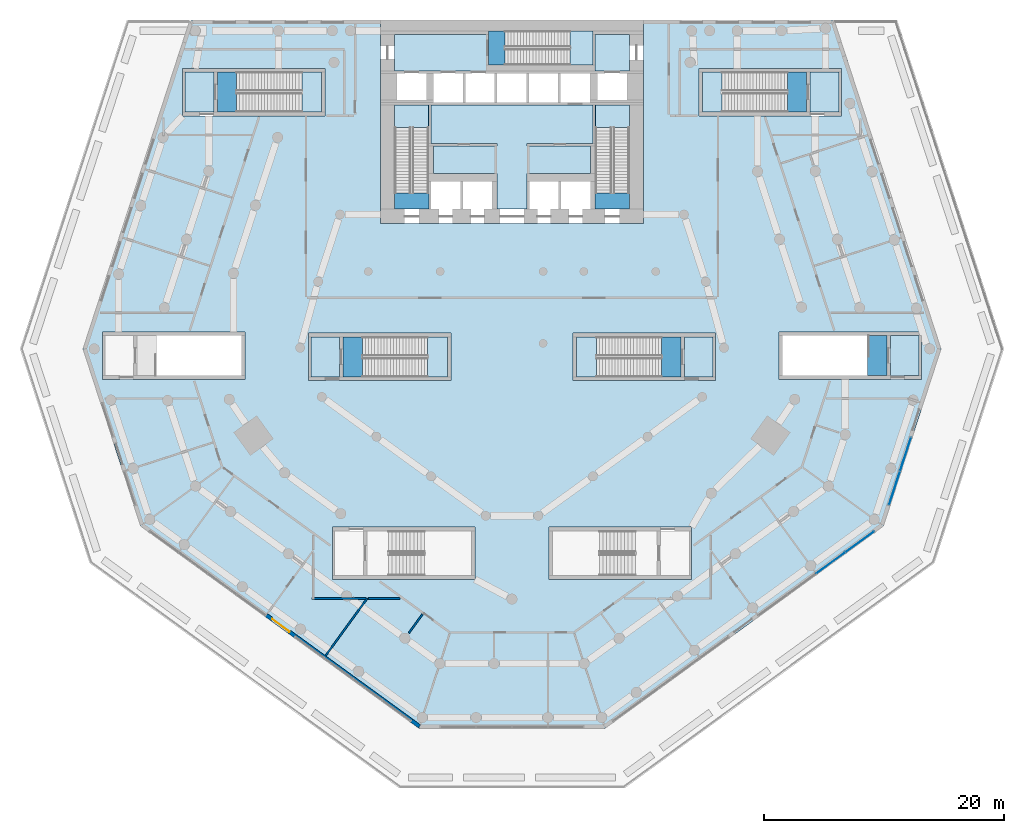
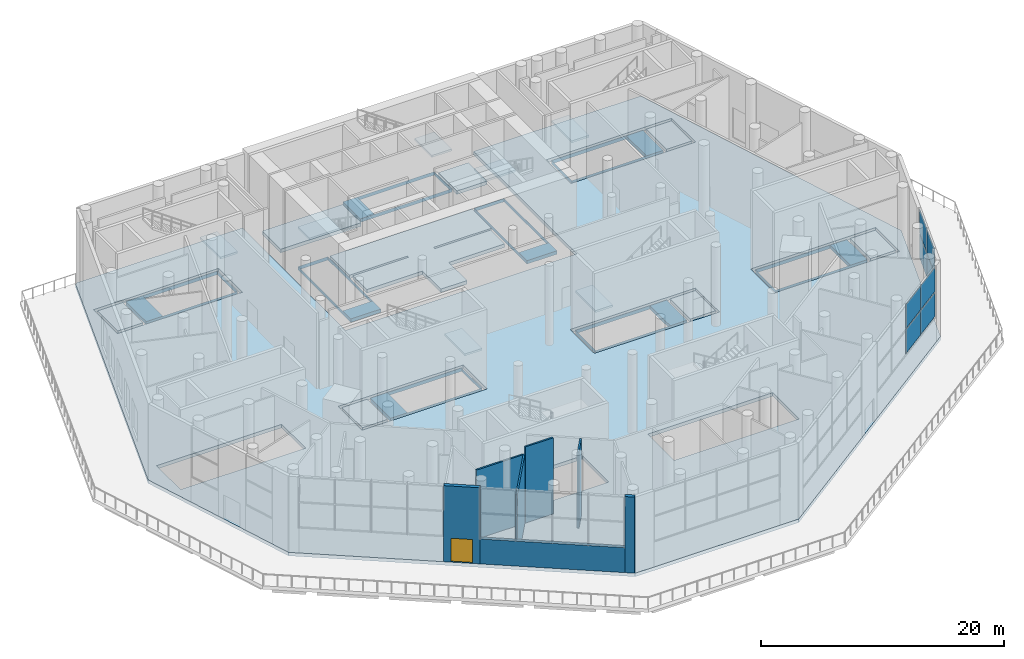
# One storey, part 10 of 23: 24 slabs, 8 plates, 7 walls, 1 door, 1 opening, 9 elements without a shape of their own.
"""IFC4 building model written with IfcOpenShell, lengths in metres."""

from ifc_helpers import new_model, si_unit, direction, frame, frame_2d, origin, origin_2d, place, context, subcontext, project, spatial, polyline, rectangle, outline, extrude, material, layer, layer_set, type_object, element, fill, aggregate, save


model = new_model("IFC4")

# Units and contexts
model_context = context("Model", 3, precision=1e-05, world=origin(), true_north=direction((0.0, 1.0)))
body_context = subcontext(model_context, "Body", "Model", "MODEL_VIEW")
ifc_project = project(units=[si_unit("LENGTHUNIT", "METRE"), si_unit("AREAUNIT", "SQUARE_METRE"), si_unit("VOLUMEUNIT", "CUBIC_METRE"), si_unit("PLANEANGLEUNIT", "RADIAN"), si_unit("MASSUNIT", "GRAM", prefix="KILO")], contexts=[model_context])

# Site, building, storey
site_placement = place(None, origin())
site = spatial("IfcSite", under=ifc_project, at=site_placement, CompositionType="ELEMENT")
building_placement = place(site_placement, origin())
building = spatial("IfcBuilding", under=site, at=building_placement, Name="White Candle Pilgrim Tower", CompositionType="ELEMENT")
storey_placement = place(building_placement, frame((0.0, 0.0, 15.0)))
storey = spatial("IfcBuildingStorey", under=building, at=storey_placement, Name="L02", CompositionType="ELEMENT", Elevation=15.0)

# Curtain wall, plates
ifc_material_1 = material(Name="Aluminium and glass", Category="aluminium")
curtain_wall_type = type_object("IfcCurtainWallType", Name="Curtain wall CW2 prayer hall clerestory", PredefinedType="NOTDEFINED", material=ifc_material_1)
curtain_wall_1_placement = place(storey_placement, origin())
curtain_wall_1 = element("IfcCurtainWall", 1, at=curtain_wall_1_placement, inside=storey, type_object=curtain_wall_type, Name="Curtain wall CW2 L02 SE", PredefinedType="NOTDEFINED")
ifc_material_2 = material(Name="Glass, triple glazed", Category="glass")
ifc_layer_1 = layer(ifc_material_2, 0.035888671875)
ifc_layer_set_1 = layer_set([ifc_layer_1], Name="CW2 glazing panel 36")
plate_type = type_object("IfcPlateType", Name="CW2 glazing panel 36", PredefinedType="CURTAIN_PANEL", material=ifc_layer_set_1)
plate_1_placement = place(storey_placement, frame((96.619384765625, 42.67333984375, 2.60009765625), z_axis=(0.0, 0.0, 1.0), x_axis=(0.809016996519, 0.587785249341, 0.0)))
plate_1 = element("IfcPlate", 2, at=plate_1_placement, type_object=plate_type, Name="CW2 panel 3.1", PredefinedType="CURTAIN_PANEL", context=body_context, shape_type="SweptSolid", body=[
    extrude(rectangle(XDim=2.949951171875, YDim=0.035888671875, at=origin_2d()), origin(), (0.0, 0.0, 1.0), 2.425048828125),
])
plate_2_placement = place(storey_placement, frame((96.619384765625, 42.67333984375, 5.125), z_axis=(0.0, 0.0, 1.0), x_axis=(0.809016996519, 0.587785249341, 0.0)))
plate_2 = element("IfcPlate", 3, at=plate_2_placement, type_object=plate_type, Name="CW2 panel 3.2", PredefinedType="CURTAIN_PANEL", context=body_context, shape_type="SweptSolid", body=[
    extrude(rectangle(XDim=2.949951171875, YDim=0.035888671875, at=origin_2d()), origin(), (0.0, 0.0, 1.0), 2.425048828125),
])
plate_3_placement = place(storey_placement, frame((99.0361328125, 44.429443359375, 2.60009765625), z_axis=(0.0, 0.0, 1.0), x_axis=(0.809016996519, 0.587785249341, 0.0)))
plate_3 = element("IfcPlate", 4, at=plate_3_placement, type_object=plate_type, Name="CW2 panel 4.1", PredefinedType="CURTAIN_PANEL", context=body_context, shape_type="SweptSolid", body=[
    extrude(rectangle(XDim=2.925048828125, YDim=0.035888671875, at=origin_2d()), origin(), (0.0, 0.0, 1.0), 2.425048828125),
])
plate_4_placement = place(storey_placement, frame((99.0361328125, 44.429443359375, 5.125), z_axis=(0.0, 0.0, 1.0), x_axis=(0.809016996519, 0.587785249341, 0.0)))
plate_4 = element("IfcPlate", 5, at=plate_4_placement, type_object=plate_type, Name="CW2 panel 4.2", PredefinedType="CURTAIN_PANEL", context=body_context, shape_type="SweptSolid", body=[
    extrude(rectangle(XDim=2.925048828125, YDim=0.035888671875, at=origin_2d()), origin(), (0.0, 0.0, 1.0), 2.425048828125),
])
aggregate(curtain_wall_1, [plate_1, plate_2, plate_3, plate_4])

curtain_wall_2_placement = place(storey_placement, origin())
curtain_wall_2 = element("IfcCurtainWall", 6, at=curtain_wall_2_placement, inside=storey, type_object=curtain_wall_type, Name="Curtain wall CW2 L02 E chamfer", PredefinedType="NOTDEFINED")
plate_5_placement = place(storey_placement, frame((101.937255859375, 48.904541015625, 2.60009765625), z_axis=(0.0, 0.0, 1.0), x_axis=(0.309016999985, 0.951056514472, 0.0)))
plate_5 = element("IfcPlate", 7, at=plate_5_placement, type_object=plate_type, Name="CW2 panel 1.1", PredefinedType="CURTAIN_PANEL", context=body_context, shape_type="SweptSolid", body=[
    extrude(rectangle(XDim=2.925048828125, YDim=0.035888671875, at=origin_2d()), origin(), (0.0, 0.0, 1.0), 2.425048828125),
])
plate_6_placement = place(storey_placement, frame((101.937255859375, 48.904541015625, 5.125), z_axis=(0.0, 0.0, 1.0), x_axis=(0.309016999985, 0.951056514472, 0.0)))
plate_6 = element("IfcPlate", 8, at=plate_6_placement, type_object=plate_type, Name="CW2 panel 1.2", PredefinedType="CURTAIN_PANEL", context=body_context, shape_type="SweptSolid", body=[
    extrude(rectangle(XDim=2.925048828125, YDim=0.035888671875, at=origin_2d()), origin(), (0.0, 0.0, 1.0), 2.425048828125),
])
plate_7_placement = place(storey_placement, frame((102.856689453125, 51.73388671875, 2.60009765625), z_axis=(0.0, 0.0, 1.0), x_axis=(0.309016999985, 0.951056514472, 0.0)))
plate_7 = element("IfcPlate", 9, at=plate_7_placement, type_object=plate_type, Name="CW2 panel 2.1", PredefinedType="CURTAIN_PANEL", context=body_context, shape_type="SweptSolid", body=[
    extrude(rectangle(XDim=2.925048828125, YDim=0.035888671875, at=origin_2d()), origin(), (0.0, 0.0, 1.0), 2.425048828125),
])
plate_8_placement = place(storey_placement, frame((102.856689453125, 51.73388671875, 5.125), z_axis=(0.0, 0.0, 1.0), x_axis=(0.309016999985, 0.951056514472, 0.0)))
plate_8 = element("IfcPlate", 10, at=plate_8_placement, type_object=plate_type, Name="CW2 panel 2.2", PredefinedType="CURTAIN_PANEL", context=body_context, shape_type="SweptSolid", body=[
    extrude(rectangle(XDim=2.925048828125, YDim=0.035888671875, at=origin_2d()), origin(), (0.0, 0.0, 1.0), 2.425048828125),
])
aggregate(curtain_wall_2, [plate_5, plate_6, plate_7, plate_8])

# Slabs
ifc_material_3 = material(Name="Concrete C40/50", Category="concrete")
ifc_layer_2 = layer(ifc_material_3, 0.35009765625)
ifc_layer_set_2 = layer_set([ifc_layer_2], Name="Core floor slab 350 mm Concrete C40/50")
slab_type_1 = type_object("IfcSlabType", Name="Core floor slab 350 mm Concrete C40/50", PredefinedType="FLOOR", material=ifc_layer_set_2)
slab_1_placement = place(storey_placement, frame((0.0, 0.0, -0.35009765625)))
element("IfcSlab", 11, at=slab_1_placement, inside=storey, type_object=slab_type_1, Name="CF-L02-03", PredefinedType="FLOOR", context=body_context, shape_type="SweptSolid", body=[
    extrude(outline(polyline([(53.199951171875, 61.550048828125), (55.60009765625, 61.550048828125), (55.60009765625, 58.199951171875), (53.199951171875, 58.199951171875), (53.199951171875, 61.550048828125)])), origin(), (0.0, 0.0, 1.0), 0.35009765625),
])
slab_2_placement = place(storey_placement, frame((0.0, 0.0, -0.35009765625)))
element("IfcSlab", 12, at=slab_2_placement, inside=storey, type_object=slab_type_1, Name="CF-L02-04", PredefinedType="FLOOR", context=body_context, shape_type="SweptSolid", body=[
    extrude(outline(polyline([(55.89990234375, 61.550048828125), (64.60009765625, 61.550048828125), (64.60009765625, 58.199951171875), (55.89990234375, 58.199951171875), (55.89990234375, 61.550048828125)]), holes=[polyline([(64.597900390625, 61.548095703125), (57.501953125, 61.548095703125), (57.501953125, 58.201904296875), (64.597900390625, 58.201904296875), (64.597900390625, 61.548095703125)])]), origin(), (0.0, 0.0, 1.0), 0.35009765625),
])
slab_3_placement = place(storey_placement, frame((0.0, 0.0, -0.35009765625)))
element("IfcSlab", 13, at=slab_3_placement, inside=storey, type_object=slab_type_1, Name="CF-L02-07", PredefinedType="FLOOR", context=body_context, shape_type="SweptSolid", body=[
    extrude(outline(polyline([(60.199951171875, 80.89990234375), (63.050048828125, 80.89990234375), (63.050048828125, 77.699951171875), (63.050048828125, 77.5), (63.050048828125, 75.199951171875), (63.050048828125, 74.5), (63.050048828125, 72.199951171875), (60.199951171875, 72.199951171875), (60.199951171875, 80.89990234375)]), holes=[polyline([(60.201904296875, 80.89794921875), (60.201904296875, 73.552001953125), (63.048095703125, 73.552001953125), (63.048095703125, 80.89794921875), (60.201904296875, 80.89794921875)])]), origin(), (0.0, 0.0, 1.0), 0.35009765625),
])
slab_4_placement = place(storey_placement, frame((0.0, 0.0, -0.35009765625)))
element("IfcSlab", 14, at=slab_4_placement, inside=storey, type_object=slab_type_1, Name="CF-L02-08", PredefinedType="FLOOR", context=body_context, shape_type="SweptSolid", body=[
    extrude(outline(polyline([(60.199951171875, 86.800048828125), (67.85009765625, 86.800048828125), (67.85009765625, 84.25), (67.85009765625, 83.75), (60.199951171875, 83.75), (60.199951171875, 86.800048828125)])), origin(), (0.0, 0.0, 1.0), 0.35009765625),
])
slab_5_placement = place(storey_placement, frame((0.0, 0.0, -0.35009765625)))
element("IfcSlab", 15, at=slab_5_placement, inside=storey, type_object=slab_type_1, Name="CF-L02-09", PredefinedType="FLOOR", context=body_context, shape_type="SweptSolid", body=[
    extrude(outline(polyline([(68.050048828125, 87.10009765625), (76.75, 87.10009765625), (76.75, 86.800048828125), (76.75, 84.25), (68.050048828125, 84.25), (68.050048828125, 86.800048828125), (68.050048828125, 87.10009765625)]), holes=[polyline([(76.748046875, 87.097900390625), (69.402099609375, 87.097900390625), (69.402099609375, 84.251953125), (76.748046875, 84.251953125), (76.748046875, 87.097900390625)])]), origin(), (0.0, 0.0, 1.0), 0.35009765625),
])
slab_6_placement = place(storey_placement, frame((0.0, 0.0, -0.35009765625)))
element("IfcSlab", 16, at=slab_6_placement, inside=storey, type_object=slab_type_1, Name="CF-L02-10", PredefinedType="FLOOR", context=body_context, shape_type="SweptSolid", body=[
    extrude(outline(polyline([(79.800048828125, 86.800048828125), (79.800048828125, 83.75), (76.949951171875, 83.75), (76.949951171875, 84.25), (76.949951171875, 86.800048828125), (79.800048828125, 86.800048828125)])), origin(), (0.0, 0.0, 1.0), 0.35009765625),
])
slab_7_placement = place(storey_placement, frame((0.0, 0.0, -0.35009765625)))
element("IfcSlab", 17, at=slab_7_placement, inside=storey, type_object=slab_type_1, Name="CF-L02-11", PredefinedType="FLOOR", context=body_context, shape_type="SweptSolid", body=[
    extrude(outline(polyline([(79.800048828125, 72.199951171875), (76.949951171875, 72.199951171875), (76.949951171875, 74.5), (76.949951171875, 75.199951171875), (76.949951171875, 77.5), (76.949951171875, 77.699951171875), (76.949951171875, 80.89990234375), (79.800048828125, 80.89990234375), (79.800048828125, 72.199951171875)]), holes=[polyline([(76.951904296875, 73.552001953125), (79.798095703125, 73.552001953125), (79.798095703125, 80.89794921875), (76.951904296875, 80.89794921875), (76.951904296875, 73.552001953125)])]), origin(), (0.0, 0.0, 1.0), 0.35009765625),
])
slab_8_placement = place(storey_placement, frame((0.0, 0.0, -0.35009765625)))
element("IfcSlab", 18, at=slab_8_placement, inside=storey, type_object=slab_type_1, Name="CF-L02-12", PredefinedType="FLOOR", context=body_context, shape_type="SweptSolid", body=[
    extrude(outline(polyline([(68.75, 72.199951171875), (68.75, 74.5), (68.75, 75.199951171875), (63.449951171875, 75.199951171875), (63.449951171875, 77.5), (68.75, 77.5), (68.75, 77.699951171875), (63.25, 77.699951171875), (63.25, 80.89990234375), (76.75, 80.89990234375), (76.75, 77.699951171875), (71.25, 77.699951171875), (71.25, 77.5), (76.550048828125, 77.5), (76.550048828125, 75.199951171875), (71.25, 75.199951171875), (71.25, 74.5), (71.25, 72.199951171875), (68.75, 72.199951171875)])), origin(), (0.0, 0.0, 1.0), 0.35009765625),
])
slab_9_placement = place(storey_placement, frame((0.0, 0.0, -0.35009765625)))
element("IfcSlab", 19, at=slab_9_placement, inside=storey, type_object=slab_type_1, Name="CF-L02-13", PredefinedType="FLOOR", context=body_context, shape_type="SweptSolid", body=[
    extrude(outline(polyline([(45.10009765625, 83.64990234375), (45.10009765625, 80.300048828125), (42.699951171875, 80.300048828125), (42.699951171875, 83.64990234375), (45.10009765625, 83.64990234375)])), origin(), (0.0, 0.0, 1.0), 0.35009765625),
])
slab_10_placement = place(storey_placement, frame((0.0, 0.0, -0.35009765625)))
element("IfcSlab", 20, at=slab_10_placement, inside=storey, type_object=slab_type_1, Name="CF-L02-14", PredefinedType="FLOOR", context=body_context, shape_type="SweptSolid", body=[
    extrude(outline(polyline([(54.10009765625, 83.64990234375), (54.10009765625, 80.300048828125), (45.39990234375, 80.300048828125), (45.39990234375, 83.64990234375), (54.10009765625, 83.64990234375)]), holes=[polyline([(54.097900390625, 83.64794921875), (47.001953125, 83.64794921875), (47.001953125, 80.302001953125), (54.097900390625, 80.302001953125), (54.097900390625, 83.64794921875)])]), origin(), (0.0, 0.0, 1.0), 0.35009765625),
])
slab_11_placement = place(storey_placement, frame((0.0, 0.0, -0.35009765625)))
element("IfcSlab", 21, at=slab_11_placement, inside=storey, type_object=slab_type_1, Name="CF-L02-17", PredefinedType="FLOOR", context=body_context, shape_type="SweptSolid", body=[
    extrude(outline(polyline([(75.39990234375, 61.550048828125), (84.10009765625, 61.550048828125), (84.10009765625, 58.199951171875), (75.39990234375, 58.199951171875), (75.39990234375, 61.550048828125)]), holes=[polyline([(75.402099609375, 58.201904296875), (82.498046875, 58.201904296875), (82.498046875, 61.548095703125), (75.402099609375, 61.548095703125), (75.402099609375, 58.201904296875)])]), origin(), (0.0, 0.0, 1.0), 0.35009765625),
])
slab_12_placement = place(storey_placement, frame((0.0, 0.0, -0.35009765625)))
element("IfcSlab", 22, at=slab_12_placement, inside=storey, type_object=slab_type_1, Name="CF-L02-18", PredefinedType="FLOOR", context=body_context, shape_type="SweptSolid", body=[
    extrude(outline(polyline([(84.39990234375, 61.550048828125), (86.800048828125, 61.550048828125), (86.800048828125, 58.199951171875), (84.39990234375, 58.199951171875), (84.39990234375, 61.550048828125)])), origin(), (0.0, 0.0, 1.0), 0.35009765625),
])
slab_13_placement = place(storey_placement, frame((0.0, 0.0, -0.35009765625)))
element("IfcSlab", 23, at=slab_13_placement, inside=storey, type_object=slab_type_1, Name="CF-L02-19", PredefinedType="FLOOR", context=body_context, shape_type="SweptSolid", body=[
    extrude(outline(polyline([(92.60009765625, 61.64990234375), (101.300048828125, 61.64990234375), (101.300048828125, 58.300048828125), (92.60009765625, 58.300048828125), (92.60009765625, 61.64990234375)]), holes=[polyline([(92.60205078125, 58.302001953125), (99.697998046875, 58.302001953125), (99.697998046875, 61.64794921875), (92.60205078125, 61.64794921875), (92.60205078125, 58.302001953125)])]), origin(), (0.0, 0.0, 1.0), 0.35009765625),
])
slab_14_placement = place(storey_placement, frame((0.0, 0.0, -0.35009765625)))
element("IfcSlab", 24, at=slab_14_placement, inside=storey, type_object=slab_type_1, Name="CF-L02-20", PredefinedType="FLOOR", context=body_context, shape_type="SweptSolid", body=[
    extrude(outline(polyline([(101.60009765625, 61.64990234375), (104.0, 61.64990234375), (104.0, 58.300048828125), (101.60009765625, 58.300048828125), (101.60009765625, 61.64990234375)])), origin(), (0.0, 0.0, 1.0), 0.35009765625),
])
slab_15_placement = place(storey_placement, frame((0.0, 0.0, -0.35009765625)))
element("IfcSlab", 25, at=slab_15_placement, inside=storey, type_object=slab_type_1, Name="CF-L02-21", PredefinedType="FLOOR", context=body_context, shape_type="SweptSolid", body=[
    extrude(outline(polyline([(94.60009765625, 83.64990234375), (94.60009765625, 80.300048828125), (85.89990234375, 80.300048828125), (85.89990234375, 83.64990234375), (94.60009765625, 83.64990234375)]), holes=[polyline([(85.902099609375, 80.302001953125), (92.998046875, 80.302001953125), (92.998046875, 83.64794921875), (85.902099609375, 83.64794921875), (85.902099609375, 80.302001953125)])]), origin(), (0.0, 0.0, 1.0), 0.35009765625),
])
slab_16_placement = place(storey_placement, frame((0.0, 0.0, -0.35009765625)))
element("IfcSlab", 26, at=slab_16_placement, inside=storey, type_object=slab_type_1, Name="CF-L02-22", PredefinedType="FLOOR", context=body_context, shape_type="SweptSolid", body=[
    extrude(outline(polyline([(97.300048828125, 83.64990234375), (97.300048828125, 80.300048828125), (94.89990234375, 80.300048828125), (94.89990234375, 83.64990234375), (97.300048828125, 83.64990234375)])), origin(), (0.0, 0.0, 1.0), 0.35009765625),
])
ifc_layer_3 = layer(ifc_material_3, 0.35009765625)
ifc_layer_set_3 = layer_set([ifc_layer_3], Name="Floor slab 350 REI 240")
slab_type_2 = type_object("IfcSlabType", Name="Floor slab 350 REI 240", PredefinedType="FLOOR", material=ifc_layer_set_3)
slab_17_placement = place(storey_placement, frame((0.0, 0.0, -0.35009765625)))
element("IfcSlab", 27, at=slab_17_placement, inside=storey, type_object=slab_type_2, Name="L02 floor slab", PredefinedType="FLOOR", context=body_context, shape_type="SweptSolid", body=[
    extrude(outline(polyline([(62.2216796875, 28.861083984375), (77.7783203125, 28.861083984375), (101.015380859375, 45.743896484375), (105.82275390625, 60.539306640625), (96.947021484375, 87.85595703125), (96.748779296875, 88.0), (81.0, 88.0), (81.0, 71.0), (59.0, 71.0), (59.0, 88.0), (43.251220703125, 88.0), (43.052978515625, 87.85595703125), (34.17724609375, 60.539306640625), (38.984619140625, 45.743896484375), (62.2216796875, 28.861083984375)]), holes=[polyline([(55.0, 41.300048828125), (55.0, 45.64990234375), (66.89990234375, 45.64990234375), (66.89990234375, 41.300048828125), (55.0, 41.300048828125)]), polyline([(73.10009765625, 41.300048828125), (73.10009765625, 45.64990234375), (85.0, 45.64990234375), (85.0, 41.300048828125), (73.10009765625, 41.300048828125)]), polyline([(53.0, 57.89990234375), (53.0, 61.85009765625), (64.89990234375, 61.85009765625), (64.89990234375, 57.89990234375), (53.0, 57.89990234375)]), polyline([(75.10009765625, 57.89990234375), (75.10009765625, 61.85009765625), (87.0, 61.85009765625), (87.0, 57.89990234375), (75.10009765625, 57.89990234375)]), polyline([(35.800048828125, 58.0), (35.800048828125, 61.949951171875), (47.699951171875, 61.949951171875), (47.699951171875, 58.0), (35.800048828125, 58.0)]), polyline([(92.300048828125, 58.0), (92.300048828125, 61.949951171875), (104.199951171875, 61.949951171875), (104.199951171875, 58.0), (92.300048828125, 58.0)]), polyline([(42.5, 80.0), (42.5, 83.949951171875), (54.39990234375, 83.949951171875), (54.39990234375, 80.0), (42.5, 80.0)]), polyline([(85.60009765625, 80.0), (85.60009765625, 83.949951171875), (97.5, 83.949951171875), (97.5, 80.0), (85.60009765625, 80.0)])]), origin(), (0.0, 0.0, 1.0), 0.35009765625),
])

# Stair, slab
stair_type_1 = type_object("IfcStairType", Name="Exit stair 1 flight width 1350 mm", PredefinedType="HALF_TURN_STAIR", material=ifc_material_3)
stair_1_placement = place(storey_placement, origin())
stair_1 = element("IfcStair", 28, at=stair_1_placement, inside=storey, type_object=stair_type_1, Name="L02 stair 1", PredefinedType="NOTDEFINED")
ifc_layer_4 = layer(ifc_material_3, 0.199951171875)
ifc_layer_set_4 = layer_set([ifc_layer_4], Name="Stair landing Concrete C40/50")
slab_type_3 = type_object("IfcSlabType", Name="Stair landing Concrete C40/50", PredefinedType="LANDING", material=ifc_layer_set_4)
slab_18_placement = place(storey_placement, frame((0.0, 0.0, 3.800048828125)))
slab_18 = element("IfcSlab", 29, at=slab_18_placement, type_object=slab_type_3, Name="ST1 landing 1", PredefinedType="LANDING", context=body_context, shape_type="SweptSolid", body=[
    extrude(outline(polyline([(63.052001953125, 79.008056640625), (60.197998046875, 79.008056640625), (60.197998046875, 80.902099609375), (63.052001953125, 80.902099609375), (63.052001953125, 79.008056640625)])), origin(), (0.0, 0.0, 1.0), 0.199951171875),
])
aggregate(stair_1, [slab_18])

stair_type_2 = type_object("IfcStairType", Name="Exit stair 2 flight width 1350 mm", PredefinedType="HALF_TURN_STAIR", material=ifc_material_3)
stair_2_placement = place(storey_placement, origin())
stair_2 = element("IfcStair", 30, at=stair_2_placement, inside=storey, type_object=stair_type_2, Name="L02 stair 2", PredefinedType="NOTDEFINED")
slab_19_placement = place(storey_placement, frame((0.0, 0.0, 3.800048828125)))
slab_19 = element("IfcSlab", 31, at=slab_19_placement, type_object=slab_type_3, Name="ST2 landing 1", PredefinedType="LANDING", context=body_context, shape_type="SweptSolid", body=[
    extrude(outline(polyline([(79.802001953125, 79.008056640625), (76.947998046875, 79.008056640625), (76.947998046875, 80.902099609375), (79.802001953125, 80.902099609375), (79.802001953125, 79.008056640625)])), origin(), (0.0, 0.0, 1.0), 0.199951171875),
])
aggregate(stair_2, [slab_19])

stair_type_3 = type_object("IfcStairType", Name="Exit stair 3 flight width 1350 mm", PredefinedType="HALF_TURN_STAIR", material=ifc_material_3)
stair_3_placement = place(storey_placement, origin())
stair_3 = element("IfcStair", 32, at=stair_3_placement, inside=storey, type_object=stair_type_3, Name="L02 stair 3", PredefinedType="NOTDEFINED")
slab_20_placement = place(storey_placement, frame((0.0, 0.0, 3.800048828125)))
slab_20 = element("IfcSlab", 33, at=slab_20_placement, type_object=slab_type_3, Name="ST3 landing 1", PredefinedType="LANDING", context=body_context, shape_type="SweptSolid", body=[
    extrude(outline(polyline([(74.85791015625, 84.248046875), (74.85791015625, 87.10205078125), (76.751953125, 87.10205078125), (76.751953125, 84.248046875), (74.85791015625, 84.248046875)])), origin(), (0.0, 0.0, 1.0), 0.199951171875),
])
aggregate(stair_3, [slab_20])

stair_type_4 = type_object("IfcStairType", Name="Exit stair 4 flight width 1600 mm", PredefinedType="HALF_TURN_STAIR", material=ifc_material_3)
stair_4_placement = place(storey_placement, origin())
stair_4 = element("IfcStair", 34, at=stair_4_placement, inside=storey, type_object=stair_type_4, Name="L02 stair 4", PredefinedType="NOTDEFINED")
slab_21_placement = place(storey_placement, frame((0.0, 0.0, 3.800048828125)))
slab_21 = element("IfcSlab", 35, at=slab_21_placement, type_object=slab_type_3, Name="ST4 landing 1", PredefinedType="LANDING", context=body_context, shape_type="SweptSolid", body=[
    extrude(outline(polyline([(77.0419921875, 61.552001953125), (77.0419921875, 58.197998046875), (75.39794921875, 58.197998046875), (75.39794921875, 61.552001953125), (77.0419921875, 61.552001953125)])), origin(), (0.0, 0.0, 1.0), 0.199951171875),
])
aggregate(stair_4, [slab_21])

stair_type_5 = type_object("IfcStairType", Name="Exit stair 5 flight width 1600 mm", PredefinedType="HALF_TURN_STAIR", material=ifc_material_3)
stair_5_placement = place(storey_placement, origin())
stair_5 = element("IfcStair", 36, at=stair_5_placement, inside=storey, type_object=stair_type_5, Name="L02 stair 5", PredefinedType="NOTDEFINED")
slab_22_placement = place(storey_placement, frame((0.0, 0.0, 3.800048828125)))
slab_22 = element("IfcSlab", 37, at=slab_22_placement, type_object=slab_type_3, Name="ST5 landing 1", PredefinedType="LANDING", context=body_context, shape_type="SweptSolid", body=[
    extrude(outline(polyline([(62.9580078125, 58.197998046875), (62.9580078125, 61.552001953125), (64.60205078125, 61.552001953125), (64.60205078125, 58.197998046875), (62.9580078125, 58.197998046875)])), origin(), (0.0, 0.0, 1.0), 0.199951171875),
])
aggregate(stair_5, [slab_22])

stair_type_6 = type_object("IfcStairType", Name="Exit stair 10 flight width 1600 mm", PredefinedType="HALF_TURN_STAIR", material=ifc_material_3)
stair_6_placement = place(storey_placement, origin())
stair_6 = element("IfcStair", 38, at=stair_6_placement, inside=storey, type_object=stair_type_6, Name="L02 stair 10", PredefinedType="NOTDEFINED")
slab_23_placement = place(storey_placement, frame((0.0, 0.0, 3.800048828125)))
slab_23 = element("IfcSlab", 39, at=slab_23_placement, type_object=slab_type_3, Name="ST10 landing 1", PredefinedType="LANDING", context=body_context, shape_type="SweptSolid", body=[
    extrude(outline(polyline([(52.4580078125, 80.298095703125), (52.4580078125, 83.652099609375), (54.10205078125, 83.652099609375), (54.10205078125, 80.298095703125), (52.4580078125, 80.298095703125)])), origin(), (0.0, 0.0, 1.0), 0.199951171875),
])
aggregate(stair_6, [slab_23])

stair_type_7 = type_object("IfcStairType", Name="Exit stair 11 flight width 1600 mm", PredefinedType="HALF_TURN_STAIR", material=ifc_material_3)
stair_7_placement = place(storey_placement, origin())
stair_7 = element("IfcStair", 40, at=stair_7_placement, inside=storey, type_object=stair_type_7, Name="L02 stair 11", PredefinedType="NOTDEFINED")
slab_24_placement = place(storey_placement, frame((0.0, 0.0, 3.800048828125)))
slab_24 = element("IfcSlab", 41, at=slab_24_placement, type_object=slab_type_3, Name="ST11 landing 1", PredefinedType="LANDING", context=body_context, shape_type="SweptSolid", body=[
    extrude(outline(polyline([(87.5419921875, 83.652099609375), (87.5419921875, 80.298095703125), (85.89794921875, 80.298095703125), (85.89794921875, 83.652099609375), (87.5419921875, 83.652099609375)])), origin(), (0.0, 0.0, 1.0), 0.199951171875),
])
aggregate(stair_7, [slab_24])

# Wall, opening, door
ifc_material_4 = material(Name="Precast concrete C40/50", Category="concrete")
ifc_layer_5 = layer(ifc_material_4, 0.320068359375)
ifc_layer_set_5 = layer_set([ifc_layer_5], Name="Facade wall EW3 precast concrete C40/50 and stone-faced podium wall")
wall_type_1 = type_object("IfcWallType", Name="Facade wall EW3 precast concrete C40/50 and stone-faced podium wall", PredefinedType="SOLIDWALL", material=ifc_layer_set_5)
wall_1_placement = place(storey_placement, frame((49.483642578125, 38.3134765625, 0.0), z_axis=(0.0, 0.0, 1.0), x_axis=(0.809038637837, -0.587755461469, 0.0)))
wall_1 = element("IfcWall", 42, at=wall_1_placement, inside=storey, type_object=wall_type_1, Name="Facade wall L02 SW", PredefinedType="SOLIDWALL", context=body_context, shape_type="SweptSolid", body=[
    extrude(rectangle(XDim=2.999755859375, YDim=0.320068359375, at=frame_2d((1.5, 0.0))), origin(), (0.0, 0.0, 1.0), 7.64990234375),
])
opening_placement = place(wall_1_placement, frame((0.60009765625, 0.0, 0.0)))
opening = element("IfcOpeningElement", 43, at=opening_placement, cuts=wall_1, Name="Opening L02-921", PredefinedType="OPENING", context=body_context, shape_type="SweptSolid", body=[
    extrude(rectangle(XDim=1.800048828125, YDim=2.39990234375, at=frame_2d((0.89990234375, 1.199951171875))), frame((0.0, 0.169921875, 0.0), z_axis=(0.0, -1.0, 0.0), x_axis=(1.0, 0.0, 0.0)), (0.0, 0.0, 1.0), 0.340087890625),
])
ifc_material_5 = material(Name="Timber frame with laminated glazing", Category="wood")
door_type = type_object("IfcDoorType", Name="Terrace door EN4 1800x2400 double leaf glazed", OperationType="DOUBLE_DOOR_DOUBLE_SWING", PredefinedType="DOOR", material=ifc_material_5)
door_placement = place(opening_placement, origin())
door = element("IfcDoor", 44, at=door_placement, inside=storey, type_object=door_type, Name="Door L02 SW 5", OperationType="DOUBLE_DOOR_DOUBLE_SWING", OverallHeight=2.39990234375, OverallWidth=1.800048828125, PredefinedType="DOOR", context=body_context, shape_type="SweptSolid", body=[
    extrude(rectangle(XDim=1.800048828125, YDim=2.39990234375, at=frame_2d((0.89990234375, 1.199951171875))), frame((0.0, 0.0400390625, 0.0), z_axis=(0.0, -1.0, 0.0), x_axis=(1.0, 0.0, 0.0)), (0.0, 0.0, 1.0), 0.050048828125),
])
fill(opening, door)

# Walls
wall_2_placement = place(storey_placement, frame((51.91064453125, 36.55029296875, 0.0), z_axis=(0.0, 0.0, 1.0), x_axis=(0.809016642472, -0.587785736645, 0.0)))
element("IfcWall", 45, at=wall_2_placement, inside=storey, type_object=wall_type_1, Name="Sill wall L02 SW", PredefinedType="SOLIDWALL", context=body_context, shape_type="SweptSolid", body=[
    extrude(rectangle(XDim=12.0, YDim=0.320068359375, at=frame_2d((6.0, 0.0))), origin(), (0.0, 0.0, 1.0), 2.5),
])
wall_3_placement = place(storey_placement, frame((61.618896484375, 29.496826171875, 0.0), z_axis=(0.0, 0.0, 1.0), x_axis=(0.808957761835, -0.587866770252, 0.0)))
element("IfcWall", 46, at=wall_3_placement, inside=storey, type_object=wall_type_1, Name="Facade wall L02 SW", PredefinedType="SOLIDWALL", context=body_context, shape_type="SweptSolid", body=[
    extrude(rectangle(XDim=0.809326171875, YDim=0.320068359375, at=frame_2d((0.40478515625, 0.0))), origin(), (0.0, 0.0, 1.0), 7.64990234375),
])
ifc_material_6 = material(Name="Gypsum board on steel studs", Category="steel")
ifc_layer_6 = layer(ifc_material_6, 0.14990234375)
ifc_layer_set_6 = layer_set([ifc_layer_6], Name="Partition 150 mm EI 60")
wall_type_2 = type_object("IfcWallType", Name="Partition 150 mm EI 60", PredefinedType="PARTITIONING", material=ifc_layer_set_6)
wall_4_placement = place(storey_placement, frame((54.431884765625, 34.916259765625, 0.0), z_axis=(0.0, 0.0, 1.0), x_axis=(0.587761624616, 0.80903416036, 0.0)))
element("IfcWall", 47, at=wall_4_placement, inside=storey, type_object=wall_type_2, Name="WL-L02-P023", PredefinedType="PARTITIONING", context=body_context, shape_type="SweptSolid", body=[
    extrude(rectangle(XDim=5.912841796875, YDim=0.14990234375, at=frame_2d((2.95654296875, 0.0))), origin(), (0.0, 0.0, 1.0), 6.949951171875),
])
wall_5_placement = place(storey_placement, frame((61.384521484375, 36.81103515625, 0.0), z_axis=(0.0, 0.0, 1.0), x_axis=(0.587675470877, 0.809096743863, 0.0)))
element("IfcWall", 48, at=wall_5_placement, inside=storey, type_object=wall_type_2, Name="WL-L02-P036", PredefinedType="PARTITIONING", context=body_context, shape_type="SweptSolid", body=[
    extrude(rectangle(XDim=1.96044921875, YDim=0.14990234375, at=frame_2d((0.980224609375, 0.0))), origin(), (0.0, 0.0, 1.0), 7.64990234375),
])
wall_6_placement = place(storey_placement, frame((58.008544921875, 39.699951171875, 0.0), z_axis=(0.0, 0.0, 1.0), x_axis=(1.0, 0.0, 0.0)))
element("IfcWall", 49, at=wall_6_placement, inside=storey, type_object=wall_type_2, Name="WL-L02-P046", PredefinedType="PARTITIONING", context=body_context, shape_type="SweptSolid", body=[
    extrude(rectangle(XDim=2.6328125, YDim=0.14990234375, at=frame_2d((1.31640625, 0.0))), origin(), (0.0, 0.0, 1.0), 7.64990234375),
])
wall_7_placement = place(storey_placement, frame((53.340087890625, 39.699951171875, 0.0), z_axis=(0.0, 0.0, 1.0), x_axis=(1.0, 0.0, 0.0)))
element("IfcWall", 50, at=wall_7_placement, inside=storey, type_object=wall_type_2, Name="WL-L02-P048", PredefinedType="PARTITIONING", context=body_context, shape_type="SweptSolid", body=[
    extrude(rectangle(XDim=4.46044921875, YDim=0.14990234375, at=frame_2d((2.230224609375, 0.0))), origin(), (0.0, 0.0, 1.0), 6.949951171875),
])

save(model, "model.ifc")
